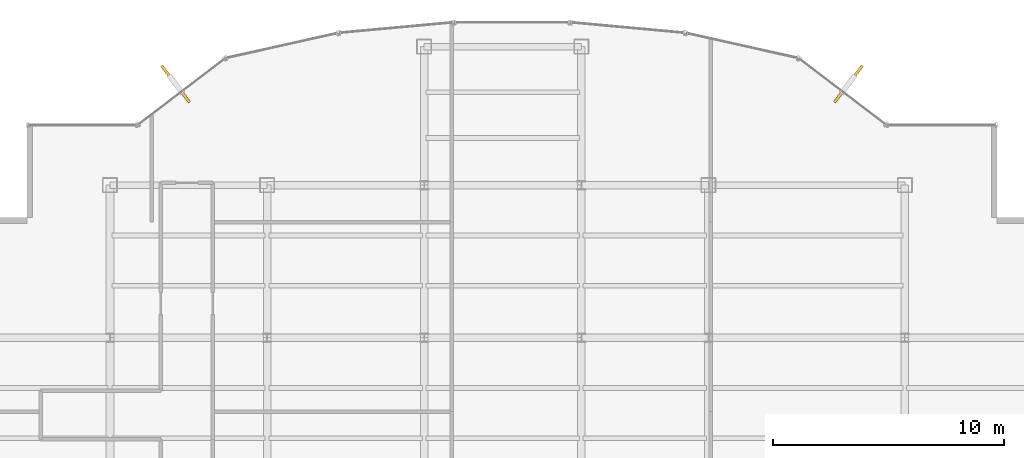
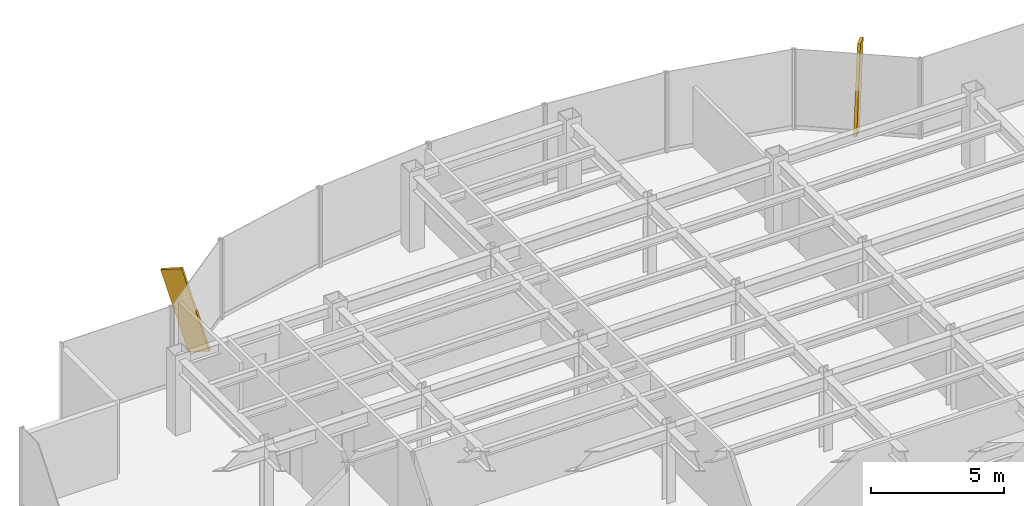
# One storey, part 24 of 25: 2 shading devices.
"""IFC4 building model written with IfcOpenShell, lengths in metres."""

from ifc_helpers import new_model, si_unit, derived_unit, direction, frame, origin, origin_2d, place, context, subcontext, project, spatial, rectangle, extrude, source, transform, mapped, material, type_object, element, save


model = new_model("IFC4")

# Units and contexts
model_context = context("Model", 3, precision=1e-05, world=origin(), true_north=direction((0.0, 1.0)))
body_context = subcontext(model_context, "Body", "Model", "MODEL_VIEW")
ifc_project = project(units=[si_unit("LENGTHUNIT", "METRE"), si_unit("AREAUNIT", "SQUARE_METRE"), si_unit("VOLUMEUNIT", "CUBIC_METRE"), si_unit("PLANEANGLEUNIT", "RADIAN"), si_unit("MASSUNIT", "GRAM", prefix="KILO"), derived_unit("THERMALTRANSMITTANCEUNIT", [(si_unit("POWERUNIT", "WATT"), 1), (si_unit("LENGTHUNIT", "METRE"), -2), (si_unit("THERMODYNAMICTEMPERATUREUNIT", "KELVIN"), -1)])], contexts=[model_context])

# Site, building, storey
site_placement = place(None, origin())
site = spatial("IfcSite", under=ifc_project, at=site_placement, CompositionType="ELEMENT")
building_placement = place(site_placement, origin())
building = spatial("IfcBuilding", under=site, at=building_placement, Name="Skarnbrae Concourse Arena and Tower", CompositionType="ELEMENT")
storey_placement = place(building_placement, frame((0.0, 0.0, 155.199951171875)))
storey = spatial("IfcBuildingStorey", under=building, at=storey_placement, Name="L39", CompositionType="ELEMENT", Elevation=155.199951171875)

# Shading devices
ifc_material = material(Name="Bronze anodised aluminium 6063-T6", Category="aluminium")
shading_device_type = type_object("IfcShadingDeviceType", Name="SHD-BRONZE-FIN-900", PredefinedType="USERDEFINED", material=ifc_material)
shared_shape = source(origin(), body_context, "Body", "SweptSolid", [
    extrude(rectangle(XDim=0.1201171875, YDim=0.89990234375, at=origin_2d()), origin(), (0.0, 0.0, 1.0), 3.64990234375),
])
for number, where, z_axis, x_axis, name in (
    (1, (39.21728515625, 38.331787109375, 0.08935546875), (0.187571567649, 0.245786538166, 0.95100256817), (0.794954941871, -0.606668476513, 0.0), "L39 Outward-leaning bronze shading fin 08"),
    (2, (10.78271484375, 38.331787109375, 0.08935546875), (-0.187571567649, 0.245786538166, 0.95100256817), (0.794954941871, 0.606668476513, 0.0), "L39 Outward-leaning bronze shading fin 14"),
):
    element("IfcShadingDevice", number, at=place(storey_placement, frame(where, z_axis=z_axis, x_axis=x_axis)), inside=storey, type_object=shading_device_type, Name=name, ObjectType="FIN", PredefinedType="USERDEFINED", context=body_context, shape_type="MappedRepresentation", body=[
        mapped(shared_shape, transform((0.0, 0.0, 0.0))),
    ])

save(model, "model.ifc")
